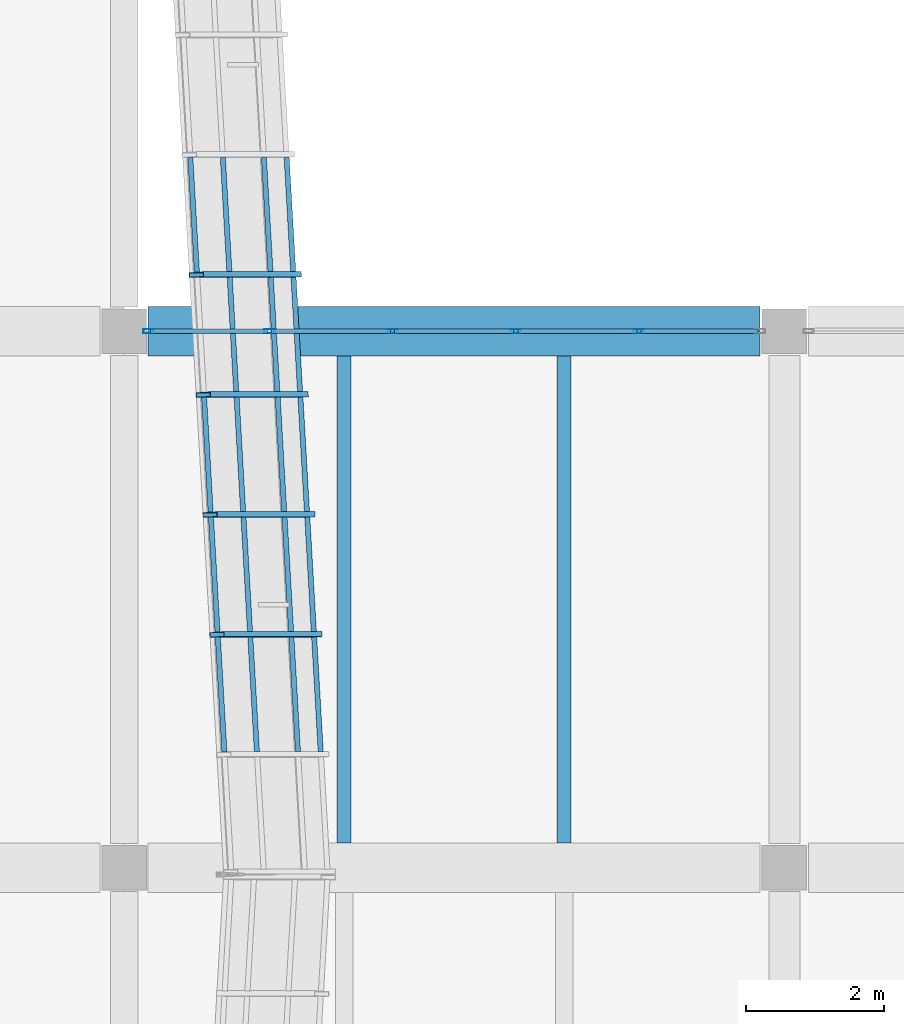
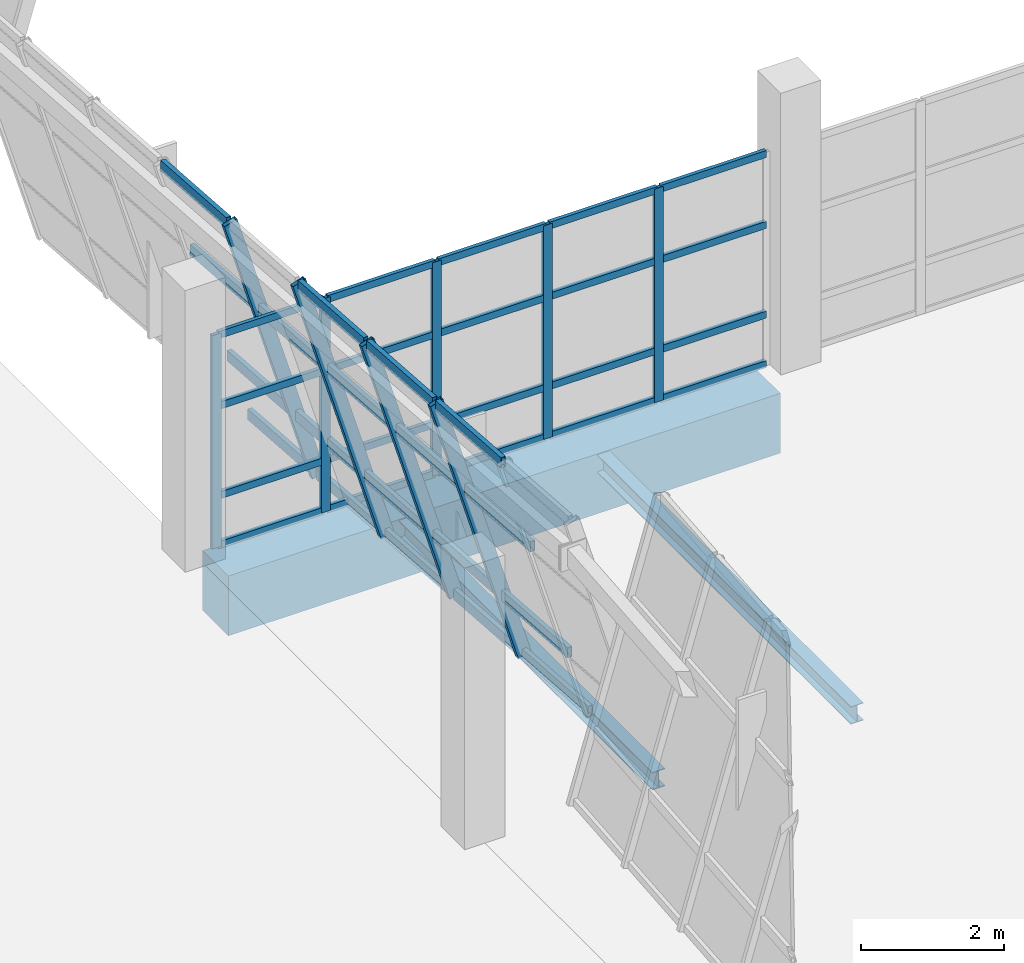
# One storey, part 22 of 79: 48 members, 3 beams, 2 elements without a shape of their own.
"""IFC4 building model written with IfcOpenShell, lengths in metres."""

from ifc_helpers import new_model, si_unit, direction, frame, origin, origin_2d, place, context, subcontext, project, spatial, rectangle, hollow_rectangle, i_section, extrude, material, material_profile, profile_set, type_object, element, aggregate, save


model = new_model("IFC4")

# Units and contexts
model_context = context("Model", 3, precision=1e-05, world=origin(), true_north=direction((0.0, 1.0)))
body_context = subcontext(model_context, "Body", "Model", "MODEL_VIEW")
ifc_project = project(units=[si_unit("LENGTHUNIT", "METRE"), si_unit("AREAUNIT", "SQUARE_METRE"), si_unit("VOLUMEUNIT", "CUBIC_METRE"), si_unit("PLANEANGLEUNIT", "RADIAN"), si_unit("MASSUNIT", "GRAM", prefix="KILO")], contexts=[model_context])

# Site, building, storey
site_placement = place(None, origin())
site = spatial("IfcSite", under=ifc_project, at=site_placement, CompositionType="ELEMENT")
building_placement = place(site_placement, origin())
building = spatial("IfcBuilding", under=site, at=building_placement, Name="Pellamere Symphony Hall", CompositionType="ELEMENT")
storey_placement = place(building_placement, frame((0.0, 0.0, 10.199951171875)))
storey = spatial("IfcBuildingStorey", under=building, at=storey_placement, Name="L02", CompositionType="ELEMENT", Elevation=10.199951171875)

# Curtain wall, members
ifc_material_1 = material(Name="Thermally Broken Anodised Aluminium 6063-T6 Curtain Wall", Category="aluminium")
curtain_wall_type_1 = type_object("IfcCurtainWallType", Name="Curtain Wall CW-01 (Tilted Faceted Crystal Low-Iron Curtain Wall)", PredefinedType="NOTDEFINED", material=ifc_material_1)
curtain_wall_1_placement = place(storey_placement, origin())
curtain_wall_1 = element("IfcCurtainWall", 1, at=curtain_wall_1_placement, inside=storey, type_object=curtain_wall_type_1, Name="Crystal Faceted Curtain Wall CW-CR07 (L02)", PredefinedType="NOTDEFINED")
ifc_material_2 = material(Name="Anodised Architectural Aluminium 6063-T6", Category="aluminium")
ifc_material_profile_1 = material_profile(ifc_material_2, hollow_rectangle(XDim=0.074951171875, YDim=0.219970703125, WallThickness=0.0048828125, at=origin_2d()), Name="ALU-M75X220X5")
ifc_profile_set_1 = profile_set([ifc_material_profile_1], Name="Anodised Architectural Aluminium 6063-T6")
member_type_1 = type_object("IfcMemberType", Name="Curtain Wall Mullion ML-01 ALU-M75X220X5", PredefinedType="MULLION", material=ifc_profile_set_1)
member_1_placement = place(storey_placement, frame((121.57177734375, 49.5888671875, 0.0), z_axis=(-0.284021911736, 0.0, 0.9588177896), x_axis=(-0.054873989333, 0.99836096977, -0.016254824977)))
member_1 = element("IfcMember", 2, at=member_1_placement, type_object=member_type_1, Name="CW1-009 crystal mullion 3", PredefinedType="MULLION", context=body_context, shape_type="SweptSolid", body=[
    extrude(hollow_rectangle(XDim=0.074951171875, YDim=0.219970703125, WallThickness=0.0048828125, at=origin_2d()), origin(), (0.0, 0.0, 1.0), 5.006103515625),
])
member_2_placement = place(storey_placement, frame((121.4716796875, 51.333251953125, 0.0), z_axis=(-0.283977077304, 0.0, 0.958831069358), x_axis=(-0.054874749346, 0.99836096977, -0.016252259063)))
member_2 = element("IfcMember", 3, at=member_2_placement, type_object=member_type_1, Name="CW1-009 crystal mullion 4", PredefinedType="MULLION", context=body_context, shape_type="SweptSolid", body=[
    extrude(hollow_rectangle(XDim=0.074951171875, YDim=0.219970703125, WallThickness=0.0048828125, at=origin_2d()), origin(), (0.0, 0.0, 1.0), 5.006103515625),
])
member_3_placement = place(storey_placement, frame((121.371826171875, 53.077880859375, 0.0), z_axis=(-0.284021911736, 0.0, 0.9588177896), x_axis=(-0.054873989333, 0.99836096977, -0.016254824977)))
member_3 = element("IfcMember", 4, at=member_3_placement, type_object=member_type_1, Name="CW1-009 crystal mullion 5", PredefinedType="MULLION", context=body_context, shape_type="SweptSolid", body=[
    extrude(hollow_rectangle(XDim=0.074951171875, YDim=0.219970703125, WallThickness=0.0048828125, at=origin_2d()), origin(), (0.0, 0.0, 1.0), 5.006103515625),
])
member_4_placement = place(storey_placement, frame((121.271728515625, 54.822265625, 0.0), z_axis=(-0.283977077304, 0.0, 0.958831069358), x_axis=(-0.054874749346, 0.99836096977, -0.016252259063)))
member_4 = element("IfcMember", 5, at=member_4_placement, type_object=member_type_1, Name="CW1-009 crystal mullion 6", PredefinedType="MULLION", context=body_context, shape_type="SweptSolid", body=[
    extrude(hollow_rectangle(XDim=0.074951171875, YDim=0.219970703125, WallThickness=0.0048828125, at=origin_2d()), origin(), (0.0, 0.0, 1.0), 5.006103515625),
])

curtain_wall_type_2 = type_object("IfcCurtainWallType", Name="Curtain Wall CW-03 (Sculpture Court Glazed Link Curtain Wall)", PredefinedType="NOTDEFINED", material=ifc_material_1)
curtain_wall_2_placement = place(storey_placement, origin())
curtain_wall_2 = element("IfcCurtainWall", 6, at=curtain_wall_2_placement, inside=storey, type_object=curtain_wall_type_2, Name="Sculpture Court Link Curtain Wall (L02 Bay 1)", PredefinedType="NOTDEFINED")
ifc_material_profile_2 = material_profile(ifc_material_2, hollow_rectangle(XDim=0.06005859375, YDim=0.14990234375, WallThickness=0.00390625, at=origin_2d()), Name="ALU-M60X150X4")
ifc_profile_set_2 = profile_set([ifc_material_profile_2], Name="Anodised Architectural Aluminium 6063-T6")
member_type_2 = type_object("IfcMemberType", Name="Curtain Wall Mullion ML-03 ALU-M60X150X4", PredefinedType="MULLION", material=ifc_profile_set_2)
member_5_placement = place(storey_placement, frame((119.155029296875, 54.0, 0.0), z_axis=(0.0, 0.0, 1.0), x_axis=(0.0, 1.0, 0.0)))
member_5 = element("IfcMember", 7, at=member_5_placement, type_object=member_type_2, Name="CW3-105 crystal mullion 1", PredefinedType="MULLION", context=body_context, shape_type="SweptSolid", body=[
    extrude(hollow_rectangle(XDim=0.06005859375, YDim=0.14990234375, WallThickness=0.00390625, at=origin_2d()), origin(), (0.0, 0.0, 1.0), 3.64013671875),
])
member_6_placement = place(storey_placement, frame((120.9150390625, 54.0, 0.0), z_axis=(0.0, 0.0, 1.0), x_axis=(0.0, 1.0, 0.0)))
member_6 = element("IfcMember", 8, at=member_6_placement, type_object=member_type_2, Name="CW3-105 crystal mullion 2", PredefinedType="MULLION", context=body_context, shape_type="SweptSolid", body=[
    extrude(hollow_rectangle(XDim=0.06005859375, YDim=0.14990234375, WallThickness=0.00390625, at=origin_2d()), origin(), (0.0, 0.0, 1.0), 3.64013671875),
])
member_7_placement = place(storey_placement, frame((122.705078125, 54.0, 0.0), z_axis=(0.0, 0.0, 1.0), x_axis=(0.0, 1.0, 0.0)))
member_7 = element("IfcMember", 9, at=member_7_placement, type_object=member_type_2, Name="CW3-105 crystal mullion 3", PredefinedType="MULLION", context=body_context, shape_type="SweptSolid", body=[
    extrude(hollow_rectangle(XDim=0.06005859375, YDim=0.14990234375, WallThickness=0.00390625, at=origin_2d()), origin(), (0.0, 0.0, 1.0), 3.64013671875),
])
member_8_placement = place(storey_placement, frame((124.4951171875, 54.0, 0.0), z_axis=(0.0, 0.0, 1.0), x_axis=(0.0, 1.0, 0.0)))
member_8 = element("IfcMember", 10, at=member_8_placement, type_object=member_type_2, Name="CW3-105 crystal mullion 4", PredefinedType="MULLION", context=body_context, shape_type="SweptSolid", body=[
    extrude(hollow_rectangle(XDim=0.06005859375, YDim=0.14990234375, WallThickness=0.00390625, at=origin_2d()), origin(), (0.0, 0.0, 1.0), 3.64013671875),
])
member_9_placement = place(storey_placement, frame((126.284912109375, 54.0, 0.0), z_axis=(0.0, 0.0, 1.0), x_axis=(0.0, 1.0, 0.0)))
member_9 = element("IfcMember", 11, at=member_9_placement, type_object=member_type_2, Name="CW3-105 crystal mullion 5", PredefinedType="MULLION", context=body_context, shape_type="SweptSolid", body=[
    extrude(hollow_rectangle(XDim=0.06005859375, YDim=0.14990234375, WallThickness=0.00390625, at=origin_2d()), origin(), (0.0, 0.0, 1.0), 3.64013671875),
])

# Member
ifc_material_profile_3 = material_profile(ifc_material_2, hollow_rectangle(XDim=0.074951171875, YDim=0.179931640625, WallThickness=0.0048828125, at=origin_2d()), Name="ALU-T75X180X5")
ifc_profile_set_3 = profile_set([ifc_material_profile_3], Name="Anodised Architectural Aluminium 6063-T6")
member_type_3 = type_object("IfcMemberType", Name="Curtain Wall Transom TR-01 ALU-T75X180X5", PredefinedType="USERDEFINED", material=ifc_profile_set_3)
member_10_placement = place(storey_placement, frame((121.658935546875, 47.8818359375, 0.035888671875), z_axis=(-0.057224396245, 0.998361341637, 0.0), x_axis=(-0.998361341637, -0.057224396245, 0.0)))
member_10 = element("IfcMember", 12, at=member_10_placement, type_object=member_type_3, Name="CW1-009 crystal transom 2.1", ObjectType="TRANSOM", PredefinedType="USERDEFINED", context=body_context, shape_type="SweptSolid", body=[
    extrude(hollow_rectangle(XDim=0.074951171875, YDim=0.179931640625, WallThickness=0.0048828125, at=origin_2d()), origin(), (0.0, 0.0, 1.0), 1.67236328125),
])

member_11_placement = place(storey_placement, frame((121.328369140625, 47.8818359375, 1.152099609375), z_axis=(-0.057224396245, 0.998361341637, 0.0), x_axis=(-0.998361341637, -0.057224396245, 0.0)))
member_11 = element("IfcMember", 13, at=member_11_placement, type_object=member_type_3, Name="CW1-009 crystal transom 2.2", ObjectType="TRANSOM", PredefinedType="USERDEFINED", context=body_context, shape_type="SweptSolid", body=[
    extrude(hollow_rectangle(XDim=0.074951171875, YDim=0.179931640625, WallThickness=0.0048828125, at=origin_2d()), origin(), (0.0, 0.0, 1.0), 1.67236328125),
])

member_12_placement = place(storey_placement, frame((120.731201171875, 47.8818359375, 3.16796875), z_axis=(-0.057224396245, 0.998361341637, 0.0), x_axis=(-0.998361341637, -0.057224396245, 0.0)))
member_12 = element("IfcMember", 14, at=member_12_placement, type_object=member_type_3, Name="CW1-009 crystal transom 2.3", ObjectType="TRANSOM", PredefinedType="USERDEFINED", context=body_context, shape_type="SweptSolid", body=[
    extrude(hollow_rectangle(XDim=0.074951171875, YDim=0.179931640625, WallThickness=0.0048828125, at=origin_2d()), origin(), (0.0, 0.0, 1.0), 1.67236328125),
])

member_13_placement = place(storey_placement, frame((120.258544921875, 47.8818359375, 4.76416015625), z_axis=(-0.057224396245, 0.998361341637, 0.0), x_axis=(-0.998361341637, -0.057224396245, 0.0)))
member_13 = element("IfcMember", 15, at=member_13_placement, type_object=member_type_3, Name="CW1-009 crystal transom 2.4", ObjectType="TRANSOM", PredefinedType="USERDEFINED", context=body_context, shape_type="SweptSolid", body=[
    extrude(hollow_rectangle(XDim=0.074951171875, YDim=0.179931640625, WallThickness=0.0048828125, at=origin_2d()), origin(), (0.0, 0.0, 1.0), 1.67236328125),
])

member_14_placement = place(storey_placement, frame((121.55908203125, 49.626220703125, 0.035888671875), z_axis=(-0.057224396245, 0.998361341637, 0.0), x_axis=(-0.998361341637, -0.057224396245, 0.0)))
member_14 = element("IfcMember", 16, at=member_14_placement, type_object=member_type_3, Name="CW1-009 crystal transom 3.1", ObjectType="TRANSOM", PredefinedType="USERDEFINED", context=body_context, shape_type="SweptSolid", body=[
    extrude(hollow_rectangle(XDim=0.074951171875, YDim=0.179931640625, WallThickness=0.0048828125, at=origin_2d()), origin(), (0.0, 0.0, 1.0), 1.67236328125),
])

member_15_placement = place(storey_placement, frame((121.228515625, 49.626220703125, 1.152099609375), z_axis=(-0.057224396245, 0.998361341637, 0.0), x_axis=(-0.998361341637, -0.057224396245, 0.0)))
member_15 = element("IfcMember", 17, at=member_15_placement, type_object=member_type_3, Name="CW1-009 crystal transom 3.2", ObjectType="TRANSOM", PredefinedType="USERDEFINED", context=body_context, shape_type="SweptSolid", body=[
    extrude(hollow_rectangle(XDim=0.074951171875, YDim=0.179931640625, WallThickness=0.0048828125, at=origin_2d()), origin(), (0.0, 0.0, 1.0), 1.67236328125),
])

member_16_placement = place(storey_placement, frame((120.63134765625, 49.626220703125, 3.16796875), z_axis=(-0.057224396245, 0.998361341637, 0.0), x_axis=(-0.998361341637, -0.057224396245, 0.0)))
member_16 = element("IfcMember", 18, at=member_16_placement, type_object=member_type_3, Name="CW1-009 crystal transom 3.3", ObjectType="TRANSOM", PredefinedType="USERDEFINED", context=body_context, shape_type="SweptSolid", body=[
    extrude(hollow_rectangle(XDim=0.074951171875, YDim=0.179931640625, WallThickness=0.0048828125, at=origin_2d()), origin(), (0.0, 0.0, 1.0), 1.67236328125),
])

member_17_placement = place(storey_placement, frame((120.158447265625, 49.626220703125, 4.76416015625), z_axis=(-0.057224396245, 0.998361341637, 0.0), x_axis=(-0.998361341637, -0.057224396245, 0.0)))
member_17 = element("IfcMember", 19, at=member_17_placement, type_object=member_type_3, Name="CW1-009 crystal transom 3.4", ObjectType="TRANSOM", PredefinedType="USERDEFINED", context=body_context, shape_type="SweptSolid", body=[
    extrude(hollow_rectangle(XDim=0.074951171875, YDim=0.179931640625, WallThickness=0.0048828125, at=origin_2d()), origin(), (0.0, 0.0, 1.0), 1.67236328125),
])

member_18_placement = place(storey_placement, frame((121.458984375, 51.370849609375, 0.035888671875), z_axis=(-0.057232737422, 0.998360863499, 0.0), x_axis=(-0.998360863499, -0.057232737422, 0.0)))
member_18 = element("IfcMember", 20, at=member_18_placement, type_object=member_type_3, Name="CW1-009 crystal transom 4.1", ObjectType="TRANSOM", PredefinedType="USERDEFINED", context=body_context, shape_type="SweptSolid", body=[
    extrude(hollow_rectangle(XDim=0.074951171875, YDim=0.179931640625, WallThickness=0.0048828125, at=origin_2d()), origin(), (0.0, 0.0, 1.0), 1.672119140625),
])

member_19_placement = place(storey_placement, frame((121.12841796875, 51.370849609375, 1.152099609375), z_axis=(-0.057232737422, 0.998360863499, 0.0), x_axis=(-0.998360863499, -0.057232737422, 0.0)))
member_19 = element("IfcMember", 21, at=member_19_placement, type_object=member_type_3, Name="CW1-009 crystal transom 4.2", ObjectType="TRANSOM", PredefinedType="USERDEFINED", context=body_context, shape_type="SweptSolid", body=[
    extrude(hollow_rectangle(XDim=0.074951171875, YDim=0.179931640625, WallThickness=0.0048828125, at=origin_2d()), origin(), (0.0, 0.0, 1.0), 1.672119140625),
])

member_20_placement = place(storey_placement, frame((120.53125, 51.370849609375, 3.16796875), z_axis=(-0.057232737422, 0.998360863499, 0.0), x_axis=(-0.998360863499, -0.057232737422, 0.0)))
member_20 = element("IfcMember", 22, at=member_20_placement, type_object=member_type_3, Name="CW1-009 crystal transom 4.3", ObjectType="TRANSOM", PredefinedType="USERDEFINED", context=body_context, shape_type="SweptSolid", body=[
    extrude(hollow_rectangle(XDim=0.074951171875, YDim=0.179931640625, WallThickness=0.0048828125, at=origin_2d()), origin(), (0.0, 0.0, 1.0), 1.672119140625),
])

member_21_placement = place(storey_placement, frame((120.05859375, 51.370849609375, 4.76416015625), z_axis=(-0.057232737422, 0.998360863499, 0.0), x_axis=(-0.998360863499, -0.057232737422, 0.0)))
member_21 = element("IfcMember", 23, at=member_21_placement, type_object=member_type_3, Name="CW1-009 crystal transom 4.4", ObjectType="TRANSOM", PredefinedType="USERDEFINED", context=body_context, shape_type="SweptSolid", body=[
    extrude(hollow_rectangle(XDim=0.074951171875, YDim=0.179931640625, WallThickness=0.0048828125, at=origin_2d()), origin(), (0.0, 0.0, 1.0), 1.672119140625),
])

member_22_placement = place(storey_placement, frame((121.35888671875, 53.115234375, 0.035888671875), z_axis=(-0.057232737422, 0.998360863499, 0.0), x_axis=(-0.998360863499, -0.057232737422, 0.0)))
member_22 = element("IfcMember", 24, at=member_22_placement, type_object=member_type_3, Name="CW1-009 crystal transom 5.1", ObjectType="TRANSOM", PredefinedType="USERDEFINED", context=body_context, shape_type="SweptSolid", body=[
    extrude(hollow_rectangle(XDim=0.074951171875, YDim=0.179931640625, WallThickness=0.0048828125, at=origin_2d()), origin(), (0.0, 0.0, 1.0), 1.672119140625),
])

member_23_placement = place(storey_placement, frame((121.0283203125, 53.115234375, 1.152099609375), z_axis=(-0.057232737422, 0.998360863499, 0.0), x_axis=(-0.998360863499, -0.057232737422, 0.0)))
member_23 = element("IfcMember", 25, at=member_23_placement, type_object=member_type_3, Name="CW1-009 crystal transom 5.2", ObjectType="TRANSOM", PredefinedType="USERDEFINED", context=body_context, shape_type="SweptSolid", body=[
    extrude(hollow_rectangle(XDim=0.074951171875, YDim=0.179931640625, WallThickness=0.0048828125, at=origin_2d()), origin(), (0.0, 0.0, 1.0), 1.672119140625),
])

member_24_placement = place(storey_placement, frame((120.43115234375, 53.115234375, 3.16796875), z_axis=(-0.057232737422, 0.998360863499, 0.0), x_axis=(-0.998360863499, -0.057232737422, 0.0)))
member_24 = element("IfcMember", 26, at=member_24_placement, type_object=member_type_3, Name="CW1-009 crystal transom 5.3", ObjectType="TRANSOM", PredefinedType="USERDEFINED", context=body_context, shape_type="SweptSolid", body=[
    extrude(hollow_rectangle(XDim=0.074951171875, YDim=0.179931640625, WallThickness=0.0048828125, at=origin_2d()), origin(), (0.0, 0.0, 1.0), 1.672119140625),
])

member_25_placement = place(storey_placement, frame((121.259033203125, 54.859619140625, 0.035888671875), z_axis=(-0.057224396245, 0.998361341637, 0.0), x_axis=(-0.998361341637, -0.057224396245, 0.0)))
member_25 = element("IfcMember", 27, at=member_25_placement, type_object=member_type_3, Name="CW1-009 crystal transom 6.1", ObjectType="TRANSOM", PredefinedType="USERDEFINED", context=body_context, shape_type="SweptSolid", body=[
    extrude(hollow_rectangle(XDim=0.074951171875, YDim=0.179931640625, WallThickness=0.0048828125, at=origin_2d()), origin(), (0.0, 0.0, 1.0), 1.67236328125),
])

member_26_placement = place(storey_placement, frame((120.928466796875, 54.859619140625, 1.152099609375), z_axis=(-0.057224396245, 0.998361341637, 0.0), x_axis=(-0.998361341637, -0.057224396245, 0.0)))
member_26 = element("IfcMember", 28, at=member_26_placement, type_object=member_type_3, Name="CW1-009 crystal transom 6.2", ObjectType="TRANSOM", PredefinedType="USERDEFINED", context=body_context, shape_type="SweptSolid", body=[
    extrude(hollow_rectangle(XDim=0.074951171875, YDim=0.179931640625, WallThickness=0.0048828125, at=origin_2d()), origin(), (0.0, 0.0, 1.0), 1.67236328125),
])

member_27_placement = place(storey_placement, frame((120.331298828125, 54.859619140625, 3.16796875), z_axis=(-0.057224396245, 0.998361341637, 0.0), x_axis=(-0.998361341637, -0.057224396245, 0.0)))
member_27 = element("IfcMember", 29, at=member_27_placement, type_object=member_type_3, Name="CW1-009 crystal transom 6.3", ObjectType="TRANSOM", PredefinedType="USERDEFINED", context=body_context, shape_type="SweptSolid", body=[
    extrude(hollow_rectangle(XDim=0.074951171875, YDim=0.179931640625, WallThickness=0.0048828125, at=origin_2d()), origin(), (0.0, 0.0, 1.0), 1.67236328125),
])

member_28_placement = place(storey_placement, frame((119.8583984375, 54.859619140625, 4.76416015625), z_axis=(-0.057224396245, 0.998361341637, 0.0), x_axis=(-0.998361341637, -0.057224396245, 0.0)))
member_28 = element("IfcMember", 30, at=member_28_placement, type_object=member_type_3, Name="CW1-009 crystal transom 6.4", ObjectType="TRANSOM", PredefinedType="USERDEFINED", context=body_context, shape_type="SweptSolid", body=[
    extrude(hollow_rectangle(XDim=0.074951171875, YDim=0.179931640625, WallThickness=0.0048828125, at=origin_2d()), origin(), (0.0, 0.0, 1.0), 1.67236328125),
])

aggregate(curtain_wall_1, [member_1, member_2, member_3, member_4, member_10, member_11, member_12, member_13, member_14, member_15, member_16, member_17, member_18, member_19, member_20, member_21, member_22, member_23, member_24, member_25, member_26, member_27, member_28])

ifc_material_profile_4 = material_profile(ifc_material_2, hollow_rectangle(XDim=0.06005859375, YDim=0.1201171875, WallThickness=0.00390625, at=origin_2d()), Name="ALU-T60X120X4")
ifc_profile_set_4 = profile_set([ifc_material_profile_4], Name="Anodised Architectural Aluminium 6063-T6")
member_type_4 = type_object("IfcMemberType", Name="Curtain Wall Transom TR-03 ALU-T60X120X4", PredefinedType="USERDEFINED", material=ifc_profile_set_4)
member_29_placement = place(storey_placement, frame((119.18505859375, 54.0, 0.030029296875), z_axis=(1.0, 0.0, 0.0), x_axis=(0.0, 1.0, 0.0)))
member_29 = element("IfcMember", 31, at=member_29_placement, type_object=member_type_4, Name="CW3-105 crystal transom 1.1", ObjectType="TRANSOM", PredefinedType="USERDEFINED", context=body_context, shape_type="SweptSolid", body=[
    extrude(hollow_rectangle(XDim=0.06005859375, YDim=0.1201171875, WallThickness=0.00390625, at=origin_2d()), origin(), (0.0, 0.0, 1.0), 1.699951171875),
])

member_30_placement = place(storey_placement, frame((119.18505859375, 54.0, 0.87353515625), z_axis=(1.0, 0.0, 0.0), x_axis=(0.0, 1.0, 0.0)))
member_30 = element("IfcMember", 32, at=member_30_placement, type_object=member_type_4, Name="CW3-105 crystal transom 1.2", ObjectType="TRANSOM", PredefinedType="USERDEFINED", context=body_context, shape_type="SweptSolid", body=[
    extrude(hollow_rectangle(XDim=0.06005859375, YDim=0.1201171875, WallThickness=0.00390625, at=origin_2d()), origin(), (0.0, 0.0, 1.0), 1.699951171875),
])

member_31_placement = place(storey_placement, frame((119.18505859375, 54.0, 2.40234375), z_axis=(1.0, 0.0, 0.0), x_axis=(0.0, 1.0, 0.0)))
member_31 = element("IfcMember", 33, at=member_31_placement, type_object=member_type_4, Name="CW3-105 crystal transom 1.3", ObjectType="TRANSOM", PredefinedType="USERDEFINED", context=body_context, shape_type="SweptSolid", body=[
    extrude(hollow_rectangle(XDim=0.06005859375, YDim=0.1201171875, WallThickness=0.00390625, at=origin_2d()), origin(), (0.0, 0.0, 1.0), 1.699951171875),
])

member_32_placement = place(storey_placement, frame((119.18505859375, 54.0, 3.610107421875), z_axis=(1.0, 0.0, 0.0), x_axis=(0.0, 1.0, 0.0)))
member_32 = element("IfcMember", 34, at=member_32_placement, type_object=member_type_4, Name="CW3-105 crystal transom 1.4", ObjectType="TRANSOM", PredefinedType="USERDEFINED", context=body_context, shape_type="SweptSolid", body=[
    extrude(hollow_rectangle(XDim=0.06005859375, YDim=0.1201171875, WallThickness=0.00390625, at=origin_2d()), origin(), (0.0, 0.0, 1.0), 1.699951171875),
])

member_33_placement = place(storey_placement, frame((120.945068359375, 54.0, 0.030029296875), z_axis=(1.0, 0.0, 0.0), x_axis=(0.0, 1.0, 0.0)))
member_33 = element("IfcMember", 35, at=member_33_placement, type_object=member_type_4, Name="CW3-105 crystal transom 2.1", ObjectType="TRANSOM", PredefinedType="USERDEFINED", context=body_context, shape_type="SweptSolid", body=[
    extrude(hollow_rectangle(XDim=0.06005859375, YDim=0.1201171875, WallThickness=0.00390625, at=origin_2d()), origin(), (0.0, 0.0, 1.0), 1.72998046875),
])

member_34_placement = place(storey_placement, frame((120.945068359375, 54.0, 0.87353515625), z_axis=(1.0, 0.0, 0.0), x_axis=(0.0, 1.0, 0.0)))
member_34 = element("IfcMember", 36, at=member_34_placement, type_object=member_type_4, Name="CW3-105 crystal transom 2.2", ObjectType="TRANSOM", PredefinedType="USERDEFINED", context=body_context, shape_type="SweptSolid", body=[
    extrude(hollow_rectangle(XDim=0.06005859375, YDim=0.1201171875, WallThickness=0.00390625, at=origin_2d()), origin(), (0.0, 0.0, 1.0), 1.72998046875),
])

member_35_placement = place(storey_placement, frame((120.945068359375, 54.0, 2.40234375), z_axis=(1.0, 0.0, 0.0), x_axis=(0.0, 1.0, 0.0)))
member_35 = element("IfcMember", 37, at=member_35_placement, type_object=member_type_4, Name="CW3-105 crystal transom 2.3", ObjectType="TRANSOM", PredefinedType="USERDEFINED", context=body_context, shape_type="SweptSolid", body=[
    extrude(hollow_rectangle(XDim=0.06005859375, YDim=0.1201171875, WallThickness=0.00390625, at=origin_2d()), origin(), (0.0, 0.0, 1.0), 1.72998046875),
])

member_36_placement = place(storey_placement, frame((120.945068359375, 54.0, 3.610107421875), z_axis=(1.0, 0.0, 0.0), x_axis=(0.0, 1.0, 0.0)))
member_36 = element("IfcMember", 38, at=member_36_placement, type_object=member_type_4, Name="CW3-105 crystal transom 2.4", ObjectType="TRANSOM", PredefinedType="USERDEFINED", context=body_context, shape_type="SweptSolid", body=[
    extrude(hollow_rectangle(XDim=0.06005859375, YDim=0.1201171875, WallThickness=0.00390625, at=origin_2d()), origin(), (0.0, 0.0, 1.0), 1.72998046875),
])

member_37_placement = place(storey_placement, frame((122.735107421875, 54.0, 0.030029296875), z_axis=(1.0, 0.0, 0.0), x_axis=(0.0, 1.0, 0.0)))
member_37 = element("IfcMember", 39, at=member_37_placement, type_object=member_type_4, Name="CW3-105 crystal transom 3.1", ObjectType="TRANSOM", PredefinedType="USERDEFINED", context=body_context, shape_type="SweptSolid", body=[
    extrude(hollow_rectangle(XDim=0.06005859375, YDim=0.1201171875, WallThickness=0.00390625, at=origin_2d()), origin(), (0.0, 0.0, 1.0), 1.72998046875),
])

member_38_placement = place(storey_placement, frame((122.735107421875, 54.0, 0.87353515625), z_axis=(1.0, 0.0, 0.0), x_axis=(0.0, 1.0, 0.0)))
member_38 = element("IfcMember", 40, at=member_38_placement, type_object=member_type_4, Name="CW3-105 crystal transom 3.2", ObjectType="TRANSOM", PredefinedType="USERDEFINED", context=body_context, shape_type="SweptSolid", body=[
    extrude(hollow_rectangle(XDim=0.06005859375, YDim=0.1201171875, WallThickness=0.00390625, at=origin_2d()), origin(), (0.0, 0.0, 1.0), 1.72998046875),
])

member_39_placement = place(storey_placement, frame((122.735107421875, 54.0, 2.40234375), z_axis=(1.0, 0.0, 0.0), x_axis=(0.0, 1.0, 0.0)))
member_39 = element("IfcMember", 41, at=member_39_placement, type_object=member_type_4, Name="CW3-105 crystal transom 3.3", ObjectType="TRANSOM", PredefinedType="USERDEFINED", context=body_context, shape_type="SweptSolid", body=[
    extrude(hollow_rectangle(XDim=0.06005859375, YDim=0.1201171875, WallThickness=0.00390625, at=origin_2d()), origin(), (0.0, 0.0, 1.0), 1.72998046875),
])

member_40_placement = place(storey_placement, frame((122.735107421875, 54.0, 3.610107421875), z_axis=(1.0, 0.0, 0.0), x_axis=(0.0, 1.0, 0.0)))
member_40 = element("IfcMember", 42, at=member_40_placement, type_object=member_type_4, Name="CW3-105 crystal transom 3.4", ObjectType="TRANSOM", PredefinedType="USERDEFINED", context=body_context, shape_type="SweptSolid", body=[
    extrude(hollow_rectangle(XDim=0.06005859375, YDim=0.1201171875, WallThickness=0.00390625, at=origin_2d()), origin(), (0.0, 0.0, 1.0), 1.72998046875),
])

member_41_placement = place(storey_placement, frame((124.52490234375, 54.0, 0.030029296875), z_axis=(1.0, 0.0, 0.0), x_axis=(0.0, 1.0, 0.0)))
member_41 = element("IfcMember", 43, at=member_41_placement, type_object=member_type_4, Name="CW3-105 crystal transom 4.1", ObjectType="TRANSOM", PredefinedType="USERDEFINED", context=body_context, shape_type="SweptSolid", body=[
    extrude(hollow_rectangle(XDim=0.06005859375, YDim=0.1201171875, WallThickness=0.00390625, at=origin_2d()), origin(), (0.0, 0.0, 1.0), 1.72998046875),
])

member_42_placement = place(storey_placement, frame((124.52490234375, 54.0, 0.87353515625), z_axis=(1.0, 0.0, 0.0), x_axis=(0.0, 1.0, 0.0)))
member_42 = element("IfcMember", 44, at=member_42_placement, type_object=member_type_4, Name="CW3-105 crystal transom 4.2", ObjectType="TRANSOM", PredefinedType="USERDEFINED", context=body_context, shape_type="SweptSolid", body=[
    extrude(hollow_rectangle(XDim=0.06005859375, YDim=0.1201171875, WallThickness=0.00390625, at=origin_2d()), origin(), (0.0, 0.0, 1.0), 1.72998046875),
])

member_43_placement = place(storey_placement, frame((124.52490234375, 54.0, 2.40234375), z_axis=(1.0, 0.0, 0.0), x_axis=(0.0, 1.0, 0.0)))
member_43 = element("IfcMember", 45, at=member_43_placement, type_object=member_type_4, Name="CW3-105 crystal transom 4.3", ObjectType="TRANSOM", PredefinedType="USERDEFINED", context=body_context, shape_type="SweptSolid", body=[
    extrude(hollow_rectangle(XDim=0.06005859375, YDim=0.1201171875, WallThickness=0.00390625, at=origin_2d()), origin(), (0.0, 0.0, 1.0), 1.72998046875),
])

member_44_placement = place(storey_placement, frame((124.52490234375, 54.0, 3.610107421875), z_axis=(1.0, 0.0, 0.0), x_axis=(0.0, 1.0, 0.0)))
member_44 = element("IfcMember", 46, at=member_44_placement, type_object=member_type_4, Name="CW3-105 crystal transom 4.4", ObjectType="TRANSOM", PredefinedType="USERDEFINED", context=body_context, shape_type="SweptSolid", body=[
    extrude(hollow_rectangle(XDim=0.06005859375, YDim=0.1201171875, WallThickness=0.00390625, at=origin_2d()), origin(), (0.0, 0.0, 1.0), 1.72998046875),
])

member_45_placement = place(storey_placement, frame((126.31494140625, 54.0, 0.030029296875), z_axis=(1.0, 0.0, 0.0), x_axis=(0.0, 1.0, 0.0)))
member_45 = element("IfcMember", 47, at=member_45_placement, type_object=member_type_4, Name="CW3-105 crystal transom 5.1", ObjectType="TRANSOM", PredefinedType="USERDEFINED", context=body_context, shape_type="SweptSolid", body=[
    extrude(hollow_rectangle(XDim=0.06005859375, YDim=0.1201171875, WallThickness=0.00390625, at=origin_2d()), origin(), (0.0, 0.0, 1.0), 1.699951171875),
])

member_46_placement = place(storey_placement, frame((126.31494140625, 54.0, 0.87353515625), z_axis=(1.0, 0.0, 0.0), x_axis=(0.0, 1.0, 0.0)))
member_46 = element("IfcMember", 48, at=member_46_placement, type_object=member_type_4, Name="CW3-105 crystal transom 5.2", ObjectType="TRANSOM", PredefinedType="USERDEFINED", context=body_context, shape_type="SweptSolid", body=[
    extrude(hollow_rectangle(XDim=0.06005859375, YDim=0.1201171875, WallThickness=0.00390625, at=origin_2d()), origin(), (0.0, 0.0, 1.0), 1.699951171875),
])

member_47_placement = place(storey_placement, frame((126.31494140625, 54.0, 2.40234375), z_axis=(1.0, 0.0, 0.0), x_axis=(0.0, 1.0, 0.0)))
member_47 = element("IfcMember", 49, at=member_47_placement, type_object=member_type_4, Name="CW3-105 crystal transom 5.3", ObjectType="TRANSOM", PredefinedType="USERDEFINED", context=body_context, shape_type="SweptSolid", body=[
    extrude(hollow_rectangle(XDim=0.06005859375, YDim=0.1201171875, WallThickness=0.00390625, at=origin_2d()), origin(), (0.0, 0.0, 1.0), 1.699951171875),
])

member_48_placement = place(storey_placement, frame((126.31494140625, 54.0, 3.610107421875), z_axis=(1.0, 0.0, 0.0), x_axis=(0.0, 1.0, 0.0)))
member_48 = element("IfcMember", 50, at=member_48_placement, type_object=member_type_4, Name="CW3-105 crystal transom 5.4", ObjectType="TRANSOM", PredefinedType="USERDEFINED", context=body_context, shape_type="SweptSolid", body=[
    extrude(hollow_rectangle(XDim=0.06005859375, YDim=0.1201171875, WallThickness=0.00390625, at=origin_2d()), origin(), (0.0, 0.0, 1.0), 1.699951171875),
])

aggregate(curtain_wall_2, [member_5, member_6, member_7, member_8, member_9, member_29, member_30, member_31, member_32, member_33, member_34, member_35, member_36, member_37, member_38, member_39, member_40, member_41, member_42, member_43, member_44, member_45, member_46, member_47, member_48])

# Beams
ifc_material_3 = material(Name="Concrete 40 MPa", Category="concrete")
ifc_material_profile_5 = material_profile(ifc_material_3, rectangle(XDim=0.719970703125, YDim=1.02001953125, at=origin_2d()), Name="RC 720x1020")
ifc_profile_set_5 = profile_set([ifc_material_profile_5], Name="Concrete 40 MPa")
beam_type_1 = type_object("IfcBeamType", Name="RC CB-23 720x1020", PredefinedType="BEAM", material=ifc_profile_set_5)
beam_placement = place(storey_placement, frame((119.14990234375, 54.0, -0.7900390625), z_axis=(1.0, 0.0, 0.0), x_axis=(0.0, 1.0, 0.0)))
element("IfcBeam", 51, at=beam_placement, inside=storey, type_object=beam_type_1, Name="Girder CB-23-X1136 (L02)", PredefinedType="BEAM", context=body_context, shape_type="SweptSolid", body=[
    extrude(rectangle(XDim=0.719970703125, YDim=1.02001953125, at=origin_2d()), origin(), (0.0, 0.0, 1.0), 8.900146484375),
])
ifc_material_4 = material(Name="Steel CSA G40.21 350W", Category="steel")
ifc_material_profile_6 = material_profile(ifc_material_4, i_section(OverallWidth=0.202880859375, OverallDepth=0.302978515625, WebThickness=0.007568359375, FlangeThickness=0.01318359375, at=origin_2d()), Name="W310X60")
ifc_profile_set_6 = profile_set([ifc_material_profile_6], Name="Steel CSA G40.21 350W")
beam_type_2 = type_object("IfcBeamType", Name="Steel Joist SB-23 W310X60", PredefinedType="JOIST", material=ifc_profile_set_6)
for number, where, z_axis, x_axis, name in (
    (52, (122.0, 46.56005859375, -0.446533203125), (0.0, 1.0, 0.0), (-1.0, 0.0, 0.0), "Secondary Floor Beam SB-23-A1506 (L02)"),
    (53, (125.199951171875, 46.56005859375, -0.446533203125), (0.0, 1.0, 0.0), (-1.0, 0.0, 0.0), "Secondary Floor Beam SB-23-B1506 (L02)"),
):
    element("IfcBeam", number, at=place(storey_placement, frame(where, z_axis=z_axis, x_axis=x_axis)), inside=storey, type_object=beam_type_2, Name=name, PredefinedType="JOIST", context=body_context, shape_type="SweptSolid", body=[
        extrude(i_section(OverallWidth=0.202880859375, OverallDepth=0.302978515625, WebThickness=0.007568359375, FlangeThickness=0.01318359375, at=origin_2d()), origin(), (0.0, 0.0, 1.0), 7.079833984375),
    ])

save(model, "model.ifc")
